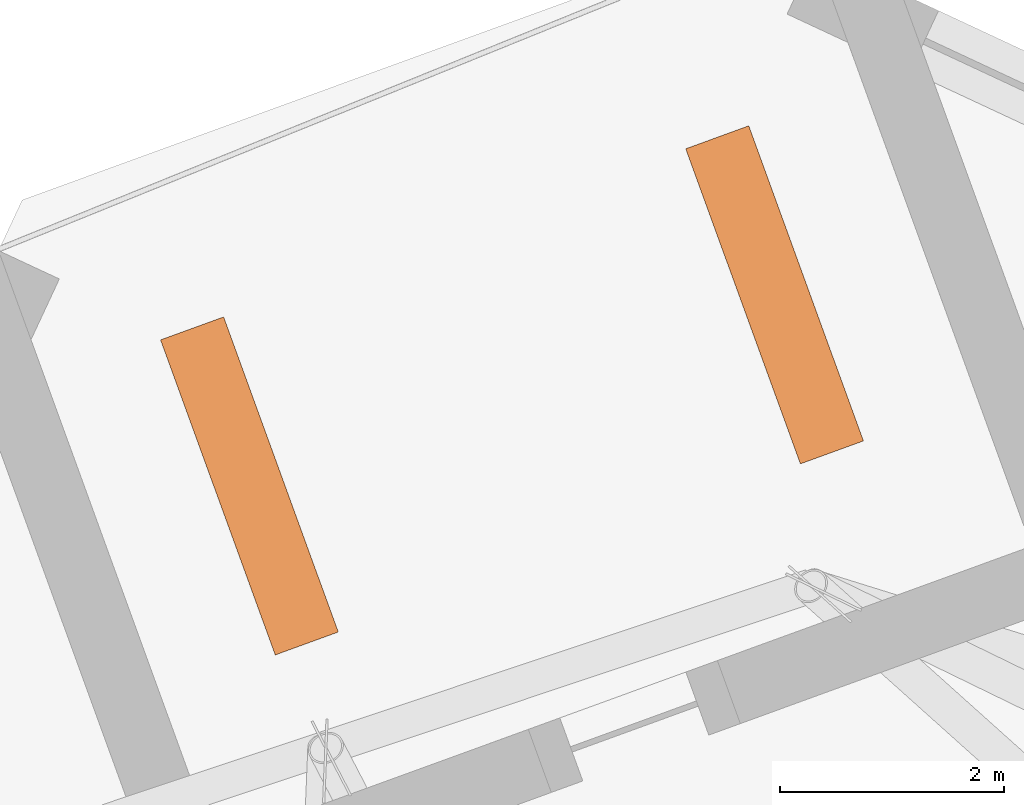
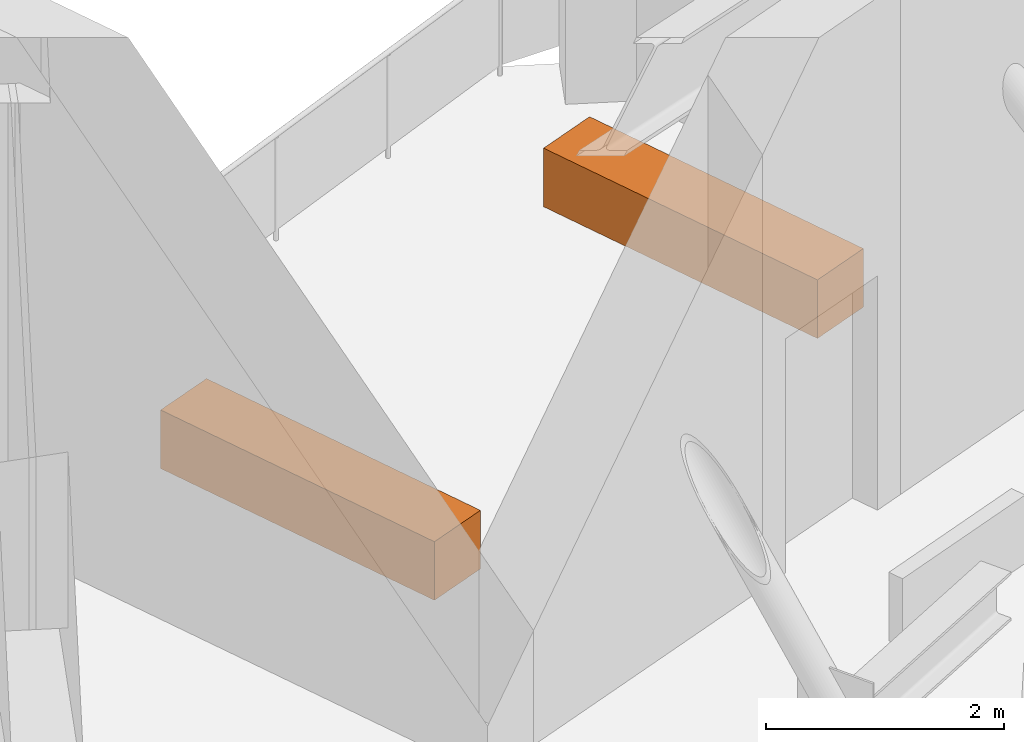
# One storey, part 15 of 15: 2 proxies.
"""IFC4 building model written with IfcOpenShell, lengths in metres."""

from ifc_helpers import new_model, si_unit, direction, frame, origin, origin_2d, place, context, subcontext, project, spatial, rectangle, extrude, element, save


model = new_model("IFC4")

# Units and contexts
model_context = context("Model", 3, precision=1e-05, world=origin(), true_north=direction((0.0, 1.0)))
body_context = subcontext(model_context, "Body", "Model", "MODEL_VIEW")
ifc_project = project(units=[si_unit("LENGTHUNIT", "METRE"), si_unit("AREAUNIT", "SQUARE_METRE"), si_unit("VOLUMEUNIT", "CUBIC_METRE"), si_unit("PLANEANGLEUNIT", "RADIAN"), si_unit("MASSUNIT", "GRAM", prefix="KILO")], contexts=[model_context])

# Site, building, storey
site_placement = place(None, origin())
site = spatial("IfcSite", under=ifc_project, at=site_placement, CompositionType="ELEMENT")
building_placement = place(site_placement, origin())
building = spatial("IfcBuilding", under=site, at=building_placement, Name="Dilmun Exchange Tower", CompositionType="ELEMENT")
storey_placement = place(building_placement, frame((0.0, 0.0, 290.89990234375)))
storey = spatial("IfcBuildingStorey", under=building, at=storey_placement, Name="L69", CompositionType="ELEMENT", Elevation=290.89990234375)

# Proxies
for number, where, z_axis, x_axis, name in (
    (1, (-4.18212890625, 31.824951171875, 0.0), (0.0, 0.0, 1.0), (-0.342020143326, 0.939692620786, 0.0), "PLANTER Date palm L69.1"),
    (2, (-8.880615234375, 30.114990234375, 0.0), (0.0, 0.0, 1.0), (-0.342020143326, 0.939692620786, 0.0), "PLANTER Date palm L69.2"),
):
    element("IfcBuildingElementProxy", number, at=place(storey_placement, frame(where, z_axis=z_axis, x_axis=x_axis)), inside=storey, Name=name, ObjectType="PLANTER", PredefinedType="USERDEFINED", context=body_context, shape_type="SweptSolid", body=[
        extrude(rectangle(XDim=3.0, YDim=0.60009765625, at=origin_2d()), origin(), (0.0, 0.0, 1.0), 0.60009765625),
    ])

save(model, "model.ifc")
